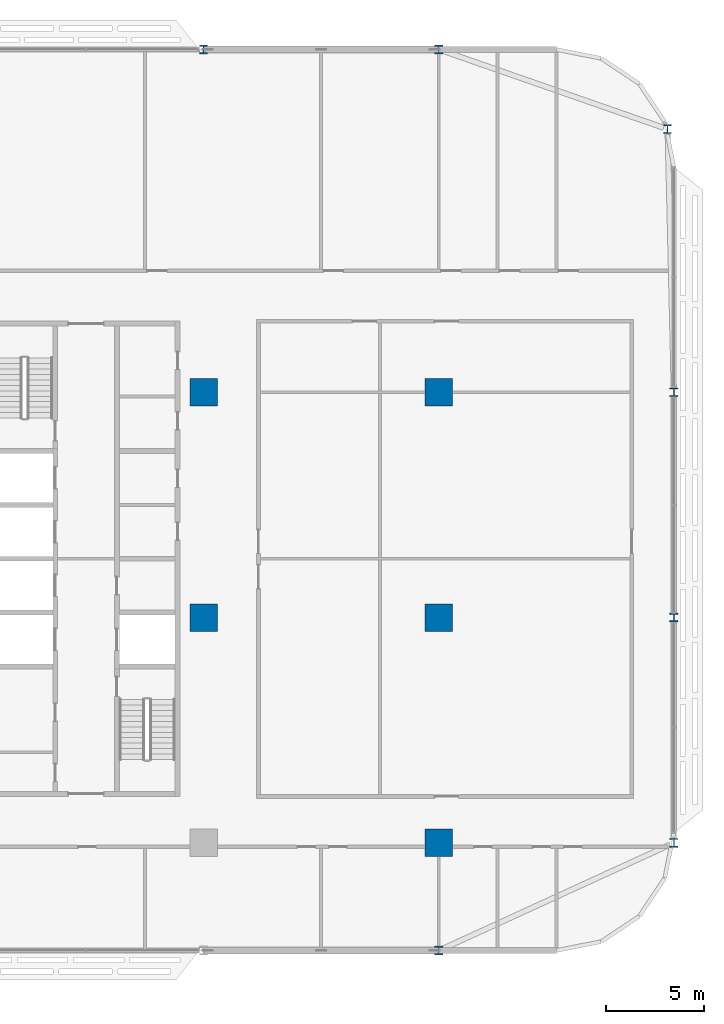
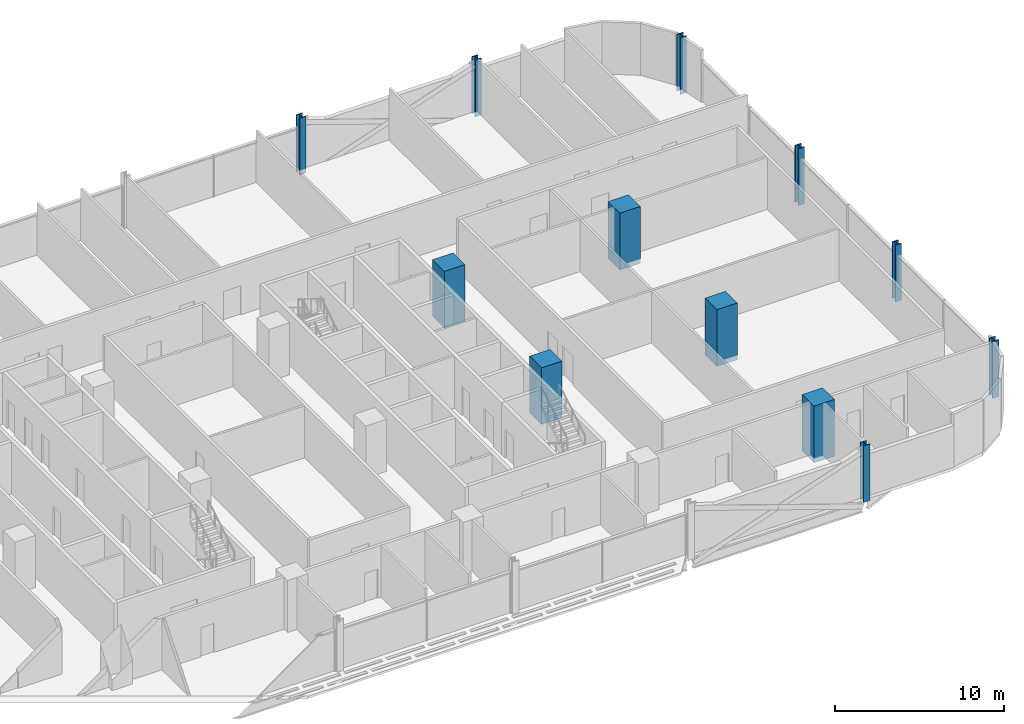
# One storey, part 2 of 29: 12 columns.
"""IFC4 building model written with IfcOpenShell, lengths in metres."""

import ifcopenshell
import ifcopenshell.guid

model = None  # the IFC model being written
_history = None  # IfcOwnerHistory: only IFC2X3 demands one
_inside = {}  # id of a spatial element -> (the spatial element, [elements in it])
_under = {}  # id of a project, library or spatial element -> (it, [spatial elements below it])
_declared = {}  # id of a project -> (the project, [libraries it declares])
_typed = {}  # id of a type object -> (the type object, [elements of that type])
_made_of = {}  # id of a material, layer set ... -> (it, [elements and type objects made of it])


def new_model(schema):
    """Start an empty IFC model of exactly this schema.

    Asked for "IFC4X3", IfcOpenShell would pick the latest addendum, in which some entities
    have other attributes; the version numbers below select the first issue.
    IFC2X3 requires an IfcOwnerHistory on every rooted entity: one is made here for all.
    """
    global model, _history
    if schema == "IFC4X3":
        model = ifcopenshell.file(schema_version=(4, 3, 0, 0))
    else:
        model = ifcopenshell.file(schema=schema)
    _inside.clear()
    _under.clear()
    _declared.clear()
    _typed.clear()
    _made_of.clear()
    _history = None
    if model.schema == "IFC2X3":
        org = make("IfcOrganization", Name="unknown")
        user = make(
            "IfcPersonAndOrganization",
            ThePerson=make("IfcPerson", FamilyName="unknown"),
            TheOrganization=org,
        )
        app = make(
            "IfcApplication",
            ApplicationDeveloper=org,
            Version="unknown",
            ApplicationFullName="unknown",
            ApplicationIdentifier="unknown",
        )
        _history = make(
            "IfcOwnerHistory",
            OwningUser=user,
            OwningApplication=app,
            ChangeAction="ADDED",
            CreationDate=0,
        )
    return model


def make(cls, **values):
    """One entity of the class cls with the attributes given. An attribute that is None is left unset."""
    return model.create_entity(
        cls, **{name: value for name, value in values.items() if value is not None}
    )


def rooted(cls, **values):
    """An entity with a GlobalId (a new one), such as an element, a storey or a relation."""
    return make(cls, GlobalId=ifcopenshell.guid.new(), OwnerHistory=_history, **values)


def si_unit(unit_type, name, prefix=None):
    """IfcSIUnit, for example si_unit("LENGTHUNIT", "METRE", prefix="MILLI")."""
    return make("IfcSIUnit", UnitType=unit_type, Prefix=prefix, Name=name)


def assignment(units):
    """IfcUnitAssignment: the units of a project."""
    return None if units is None else make("IfcUnitAssignment", Units=units)


def point(xyz):
    """IfcCartesianPoint."""
    return None if xyz is None else make("IfcCartesianPoint", Coordinates=xyz)


def direction(xyz):
    """IfcDirection."""
    return None if xyz is None else make("IfcDirection", DirectionRatios=xyz)


def frame(location, z_axis=None, x_axis=None):
    """IfcAxis2Placement3D, a coordinate frame: its origin and axes. An axis left out is left unset."""
    return make(
        "IfcAxis2Placement3D",
        Location=point(location),
        Axis=direction(z_axis),
        RefDirection=direction(x_axis),
    )


def frame_2d(location, x_axis=None):
    """IfcAxis2Placement2D, a coordinate frame in the plane: its origin and x axis."""
    return make(
        "IfcAxis2Placement2D", Location=point(location), RefDirection=direction(x_axis)
    )


def origin():
    """The frame at (0, 0, 0) with its axes left unset."""
    return frame((0.0, 0.0, 0.0))


def origin_2d():
    """The frame at (0, 0) in the plane with its x axis left unset."""
    return frame_2d((0.0, 0.0))


def place(relative_to, where):
    """IfcLocalPlacement: puts the frame where relative to a parent placement (None: the world)."""
    return make(
        "IfcLocalPlacement", PlacementRelTo=relative_to, RelativePlacement=where
    )


def context(
    kind, dimensions, precision=None, world=None, true_north=None, identifier=None
):
    """IfcGeometricRepresentationContext, for example the 3D "Model" context."""
    return make(
        "IfcGeometricRepresentationContext",
        ContextIdentifier=identifier,
        ContextType=kind,
        CoordinateSpaceDimension=dimensions,
        Precision=precision,
        WorldCoordinateSystem=world,
        TrueNorth=true_north,
    )


def subcontext(parent, identifier, kind, view, scale=None):
    """IfcGeometricRepresentationSubContext, for example "Body" below "Model"."""
    return make(
        "IfcGeometricRepresentationSubContext",
        ContextIdentifier=identifier,
        ContextType=kind,
        ParentContext=parent,
        TargetScale=scale,
        TargetView=view,
    )


def project(units=None, contexts=None):
    """IfcProject with its units and contexts."""
    return rooted(
        "IfcProject",
        Name="project",
        RepresentationContexts=contexts,
        UnitsInContext=assignment(units),
    )


def spatial(cls, under=None, at=None, **own):
    """A site, building, storey or space (cls), placed at a placement, below another one or the project."""
    s = rooted(cls, ObjectPlacement=at, **own)
    if under is not None:
        _under.setdefault(under.id(), (under, []))[1].append(s)
    return s


def profile(cls, at=None, kind="AREA", **sizes):
    """A parametric profile (cls). Its sizes go by their IFC names, for example OverallWidth=200.0."""
    return make(cls, ProfileType=kind, Position=at, **sizes)


def rectangle(**sizes):
    """IfcRectangleProfileDef."""
    return profile("IfcRectangleProfileDef", **sizes)


def i_section(**sizes):
    """IfcIShapeProfileDef."""
    return profile("IfcIShapeProfileDef", **sizes)


def extrude(swept, where, along, depth):
    """IfcExtrudedAreaSolid: the profile swept, set in the frame where, extruded along a direction by depth."""
    return make(
        "IfcExtrudedAreaSolid",
        SweptArea=swept,
        Position=where,
        ExtrudedDirection=direction(along),
        Depth=depth,
    )


def shape(context_of_items, identifier, shape_type, items):
    """IfcShapeRepresentation: the items that make up one representation, for example the "Body"."""
    return make(
        "IfcShapeRepresentation",
        ContextOfItems=context_of_items,
        RepresentationIdentifier=identifier,
        RepresentationType=shape_type,
        Items=items,
    )


def material(Name=None, Category=None):
    """IfcMaterial."""
    return make("IfcMaterial", Name=Name, Category=Category)


def material_profile(
    of_material, cross_section, Name=None, Category=None, Priority=None
):
    """IfcMaterialProfile: a cross section and its material."""
    return make(
        "IfcMaterialProfile",
        Name=Name,
        Material=of_material,
        Profile=cross_section,
        Priority=Priority,
        Category=Category,
    )


def profile_set(profiles, Name=None, composite=None):
    """IfcMaterialProfileSet."""
    return make(
        "IfcMaterialProfileSet",
        Name=Name,
        MaterialProfiles=profiles,
        CompositeProfile=composite,
    )


def made_of(thing, what):
    """Note that an element or type object is made of a material, layer set ...; save() writes the relation."""
    if what is not None:
        _made_of.setdefault(what.id(), (what, []))[1].append(thing)
    return thing


def type_object(cls, material=None, **own):
    """A type object (cls), such as IfcWallType, which elements share."""
    return made_of(rooted(cls, **own), material)


def element(
    cls,
    number,
    at=None,
    inside=None,
    cuts=None,
    type_object=None,
    material=None,
    context=None,
    identifier="Body",
    shape_type=None,
    held_by="IfcProductDefinitionShape",
    body=None,
    shapes=None,
    **own,
):
    """One element of the class cls, such as IfcWall. Its Tag is "e" and its number.

    at: its placement. inside: the storey or other place that contains it. cuts: it is an
    opening in that element (IfcRelVoidsElement). A single representation is given by context,
    identifier, shape_type and body (its items); several are given by shapes. held_by: the class
    of the entity that holds the representations. save() writes the other relations.
    """
    e = rooted(cls, Tag="e%d" % number, ObjectPlacement=at, **own)
    if body is not None:
        shapes = [shape(context, identifier, shape_type, body)]
    if shapes is not None:
        e.Representation = make(held_by, Representations=shapes)
    if inside is not None:
        _inside.setdefault(inside.id(), (inside, []))[1].append(e)
    if cuts is not None:
        rooted(
            "IfcRelVoidsElement", RelatingBuildingElement=cuts, RelatedOpeningElement=e
        )
    if type_object is not None:
        _typed.setdefault(type_object.id(), (type_object, []))[1].append(e)
    return made_of(e, material)


def aggregate(whole, parts):
    """IfcRelAggregates: a whole, such as a stair, and the parts it consists of."""
    return rooted("IfcRelAggregates", RelatingObject=whole, RelatedObjects=parts)


def save(model, path):
    """Write the relations noted so far, then the file.

    IfcRelAggregates (storeys below a building ...), IfcRelContainedInSpatialStructure (elements
    in a storey), IfcRelDefinesByType, IfcRelAssociatesMaterial and IfcRelDeclares: one each for
    every whole, place, type object, material and project.
    """
    for whole, parts in _under.values():
        aggregate(whole, parts)
    for where, things in _inside.values():
        rooted(
            "IfcRelContainedInSpatialStructure",
            RelatedElements=things,
            RelatingStructure=where,
        )
    for kind, things in _typed.values():
        rooted("IfcRelDefinesByType", RelatedObjects=things, RelatingType=kind)
    for what, things in _made_of.values():
        rooted("IfcRelAssociatesMaterial", RelatedObjects=things, RelatingMaterial=what)
    for by, libraries in _declared.values():
        rooted("IfcRelDeclares", RelatingContext=by, RelatedDefinitions=libraries)
    model.write(path)


model = new_model("IFC4")

# Units and contexts
model_context = context("Model", 3, precision=1e-05, world=origin(), true_north=direction((0.0, 1.0)))
body_context = subcontext(model_context, "Body", "Model", "MODEL_VIEW")
ifc_project = project(units=[si_unit("LENGTHUNIT", "METRE"), si_unit("AREAUNIT", "SQUARE_METRE"), si_unit("VOLUMEUNIT", "CUBIC_METRE"), si_unit("PLANEANGLEUNIT", "RADIAN"), si_unit("MASSUNIT", "GRAM", prefix="KILO")], contexts=[model_context])

# Site, building, storey
site_placement = place(None, origin())
site = spatial("IfcSite", under=ifc_project, at=site_placement, CompositionType="ELEMENT")
building_placement = place(site_placement, origin())
building = spatial("IfcBuilding", under=site, at=building_placement, Name="Mahtab Terrace Research Tower", CompositionType="ELEMENT")
storey_placement = place(building_placement, frame((0.0, 0.0, 109.39990234375)))
storey = spatial("IfcBuildingStorey", under=building, at=storey_placement, Name="L25", CompositionType="ELEMENT", Elevation=109.39990234375)

# Columns
ifc_material_1 = material(Name="Concrete C70/85", Category="concrete")
ifc_material_profile_1 = material_profile(ifc_material_1, rectangle(XDim=1.39990234375, YDim=1.39990234375, at=origin_2d()), Name="RC column 1400x1400")
ifc_profile_set_1 = profile_set([ifc_material_profile_1], Name="Concrete C70/85")
column_type_1 = type_object("IfcColumnType", Name="RC column 1400x1400", PredefinedType="COLUMN", material=ifc_profile_set_1)
for number, where, z_axis, x_axis, name in (
    (1, (30.0, 0.0, -0.33984375), (0.0, 0.0, 1.0), (1.0, 0.0, 0.0), "Column RC-7B L25"),
    (2, (30.0, 11.5, -0.33984375), (0.0, 0.0, 1.0), (1.0, 0.0, 0.0), "Column RC-7C L25"),
    (3, (42.0, -11.5, -0.33984375), (0.0, 0.0, 1.0), (1.0, 0.0, 0.0), "Column RC-8A L25"),
    (4, (42.0, 0.0, -0.33984375), (0.0, 0.0, 1.0), (1.0, 0.0, 0.0), "Column RC-8B L25"),
    (5, (42.0, 11.5, -0.33984375), (0.0, 0.0, 1.0), (1.0, 0.0, 0.0), "Column RC-8C L25"),
):
    element("IfcColumn", number, at=place(storey_placement, frame(where, z_axis=z_axis, x_axis=x_axis)), inside=storey, type_object=column_type_1, Name=name, PredefinedType="COLUMN", context=body_context, shape_type="SweptSolid", body=[
        extrude(rectangle(XDim=1.39990234375, YDim=1.39990234375, at=origin_2d()), origin(), (0.0, 0.0, 1.0), 4.099853515625),
    ])
ifc_material_2 = material(Name="Steel ASTM A992 Gr 50", Category="steel")
ifc_material_profile_2 = material_profile(ifc_material_2, i_section(OverallWidth=0.419189453125, OverallDepth=0.45458984375, WebThickness=0.042236328125, FlangeThickness=0.067626953125, at=origin_2d()), Name="W14X370")
ifc_profile_set_2 = profile_set([ifc_material_profile_2], Name="Steel ASTM A992 Gr 50")
column_type_2 = type_object("IfcColumnType", Name="W14x370 column CS14370", PredefinedType="COLUMN", material=ifc_profile_set_2)
for number, where, z_axis, x_axis, name in (
    (6, (53.681884765625, 24.927001953125, -0.33984375), (0.0, 0.0, 1.0), (1.0, 0.0, 0.0), "Column SC-030 L25"),
    (7, (42.0, 29.0, -0.33984375), (0.0, 0.0, 1.0), (1.0, 0.0, 0.0), "Column SC-031 L25"),
    (8, (30.0, 29.0, -0.33984375), (0.0, 0.0, 1.0), (1.0, 0.0, 0.0), "Column SC-032 L25"),
    (9, (42.0, -17.0, -0.33984375), (0.0, 0.0, 1.0), (1.0, 0.0, 0.0), "Column SC-045 L25"),
    (10, (54.0, -11.5, -0.33984375), (0.0, 0.0, 1.0), (1.0, 0.0, 0.0), "Column SC-027 L25"),
    (11, (54.0, 0.0, -0.33984375), (0.0, 0.0, 1.0), (1.0, 0.0, 0.0), "Column SC-028 L25"),
    (12, (54.0, 11.5, -0.33984375), (0.0, 0.0, 1.0), (1.0, 0.0, 0.0), "Column SC-029 L25"),
):
    element("IfcColumn", number, at=place(storey_placement, frame(where, z_axis=z_axis, x_axis=x_axis)), inside=storey, type_object=column_type_2, Name=name, PredefinedType="COLUMN", context=body_context, shape_type="SweptSolid", body=[
        extrude(i_section(OverallWidth=0.419189453125, OverallDepth=0.45458984375, WebThickness=0.042236328125, FlangeThickness=0.067626953125, at=origin_2d()), origin(), (0.0, 0.0, 1.0), 4.099853515625),
    ])

save(model, "model.ifc")
